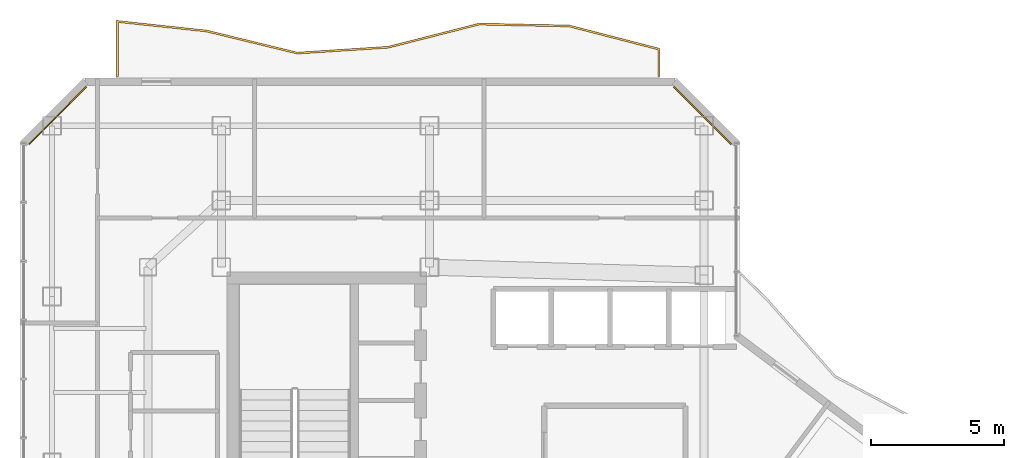
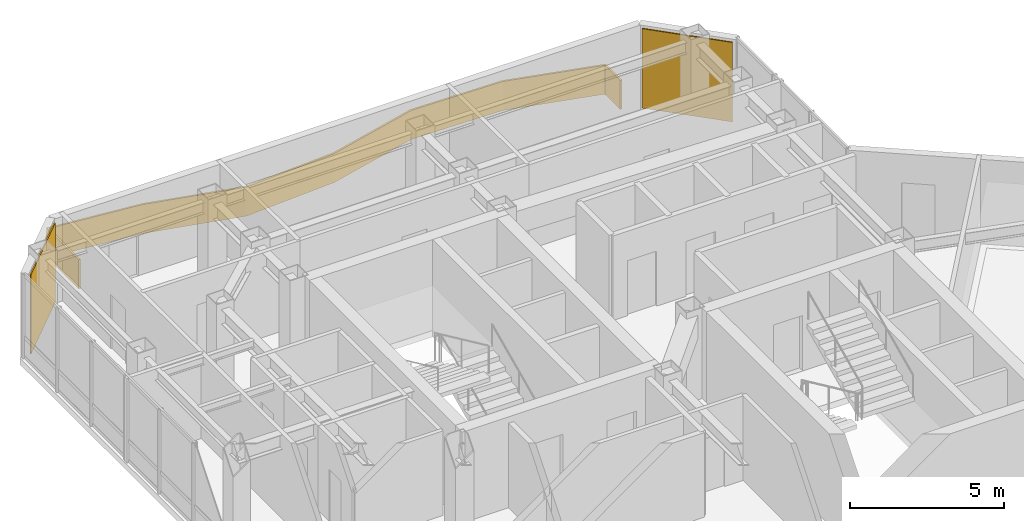
# One storey, part 25 of 25: 2 coverings, 1 railing.
"""IFC4 building model written with IfcOpenShell, lengths in metres."""

from ifc_helpers import new_model, si_unit, direction, frame, origin, origin_2d, place, context, subcontext, project, spatial, polyline, rectangle, outline, extrude, material, layer, layer_set, type_object, element, save


model = new_model("IFC4")

# Units and contexts
model_context = context("Model", 3, precision=1e-05, world=origin(), true_north=direction((0.0, 1.0)))
body_context = subcontext(model_context, "Body", "Model", "MODEL_VIEW")
ifc_project = project(units=[si_unit("LENGTHUNIT", "METRE"), si_unit("AREAUNIT", "SQUARE_METRE"), si_unit("VOLUMEUNIT", "CUBIC_METRE"), si_unit("PLANEANGLEUNIT", "RADIAN"), si_unit("MASSUNIT", "GRAM", prefix="KILO")], contexts=[model_context])

# Site, building, storey
site_placement = place(None, origin())
site = spatial("IfcSite", under=ifc_project, at=site_placement, CompositionType="ELEMENT")
building_placement = place(site_placement, origin())
building = spatial("IfcBuilding", under=site, at=building_placement, Name="Hatsunagi Terrace Concourse", CompositionType="ELEMENT")
storey_placement = place(building_placement, frame((0.0, 0.0, 216.75)))
storey = spatial("IfcBuildingStorey", under=building, at=storey_placement, Name="L57", CompositionType="ELEMENT", Elevation=216.75)

# Railing
ifc_material_1 = material(Name="Laminated Glass and Stainless Steel Guard", Category="steel")
ifc_layer_1 = layer(ifc_material_1, 0.070068359375)
ifc_layer_set_1 = layer_set([ifc_layer_1], Name="BalconyGlassGuardRail_1150")
railing_type = type_object("IfcRailingType", Name="BalconyGlassGuardRail_1150", PredefinedType="BALUSTRADE", material=ifc_layer_set_1)
railing_placement = place(storey_placement, origin())
element("IfcRailing", 1, at=railing_placement, inside=storey, type_object=railing_type, Name="Engawa Balcony Guard GRD-01 L57-BN-1", PredefinedType="BALUSTRADE", context=body_context, shape_type="SweptSolid", body=[
    extrude(outline(polyline([(21.614990234375, 50.449951171875), (21.68505859375, 50.449951171875), (21.68505859375, 52.47314453125), (24.985107421875, 52.120361328125), (28.392822265625, 51.290771484375), (31.8134765625, 51.51123046875), (35.2099609375, 52.376953125), (38.588134765625, 52.30810546875), (41.9150390625, 51.448974609375), (41.9150390625, 50.449951171875), (41.985107421875, 50.449951171875), (41.985107421875, 51.503173828125), (38.597900390625, 52.3779296875), (35.201904296875, 52.447021484375), (31.802490234375, 51.580810546875), (28.399169921875, 51.361328125), (24.9970703125, 52.189697265625), (21.614990234375, 52.55078125), (21.614990234375, 50.449951171875)])), origin(), (0.0, 0.0, 1.0), 1.14990234375),
])

# Coverings
ifc_material_2 = material(Name="Unglazed Warm Terracotta Rainscreen Tile", Category="masonry")
ifc_layer_2 = layer(ifc_material_2, 0.044921875)
ifc_layer_set_2 = layer_set([ifc_layer_2], Name="TerracottaRainscreenCladding_45")
covering_type = type_object("IfcCoveringType", Name="TerracottaRainscreenCladding_45", PredefinedType="CLADDING", material=ifc_layer_set_2)
for number, where, z_axis, x_axis, name in (
    (2, (19.4140625, 48.986083984375, 0.10009765625), (0.0, 0.0, 1.0), (0.707106781187, 0.707106781187, 0.0), "Terracotta Rainscreen Cladding L57-09"),
    (3, (43.5859375, 48.986083984375, 0.10009765625), (0.0, 0.0, 1.0), (0.707106781187, -0.707106781187, 0.0), "Terracotta Rainscreen Cladding L57-11"),
):
    element("IfcCovering", number, at=place(storey_placement, frame(where, z_axis=z_axis, x_axis=x_axis)), inside=storey, type_object=covering_type, Name=name, PredefinedType="CLADDING", context=body_context, shape_type="SweptSolid", body=[
        extrude(rectangle(XDim=3.0380859375, YDim=0.044921875, at=origin_2d()), origin(), (0.0, 0.0, 1.0), 3.14990234375),
    ])

save(model, "model.ifc")
